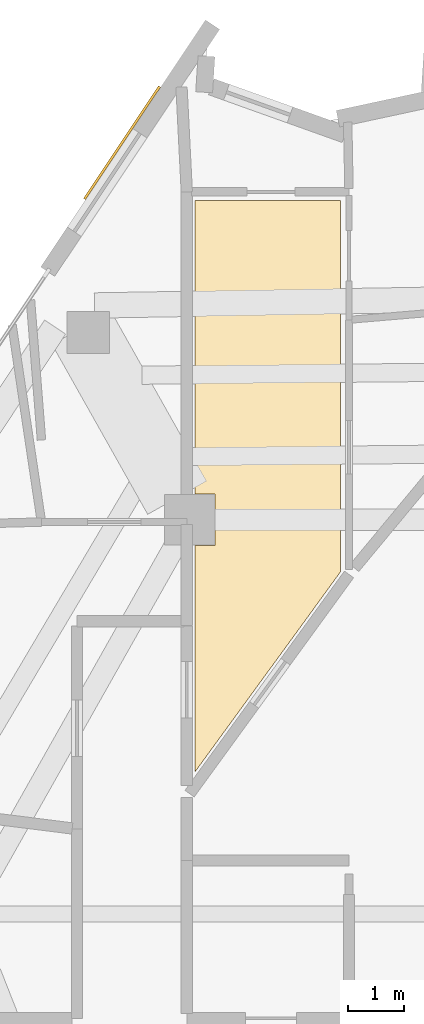
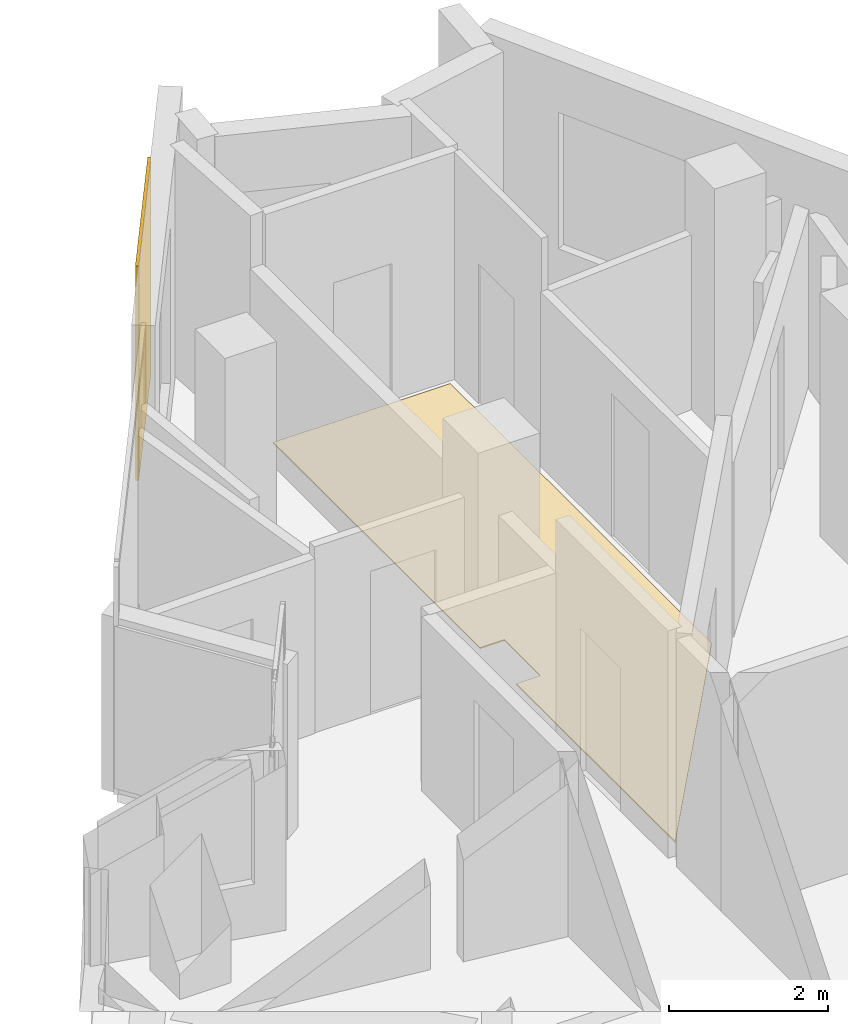
# One storey, part 10 of 10: 2 coverings.
"""IFC4 building model written with IfcOpenShell, lengths in metres."""

from ifc_helpers import new_model, si_unit, direction, frame, origin, origin_2d, place, context, subcontext, project, spatial, polyline, rectangle, outline, extrude, material, layer, layer_set, type_object, element, save


model = new_model("IFC4")

# Units and contexts
model_context = context("Model", 3, precision=1e-05, world=origin(), true_north=direction((0.0, 1.0)))
body_context = subcontext(model_context, "Body", "Model", "MODEL_VIEW")
ifc_project = project(units=[si_unit("LENGTHUNIT", "METRE"), si_unit("AREAUNIT", "SQUARE_METRE"), si_unit("VOLUMEUNIT", "CUBIC_METRE"), si_unit("PLANEANGLEUNIT", "RADIAN"), si_unit("MASSUNIT", "GRAM", prefix="KILO")], contexts=[model_context])

# Site, building, storey
site_placement = place(None, origin())
site = spatial("IfcSite", under=ifc_project, at=site_placement, CompositionType="ELEMENT")
building_placement = place(site_placement, origin())
building = spatial("IfcBuilding", under=site, at=building_placement, Name="Almagre Mirador Tower", CompositionType="ELEMENT")
storey_placement = place(building_placement, frame((0.0, 0.0, 270.75)))
storey = spatial("IfcBuildingStorey", under=building, at=storey_placement, Name="L70", CompositionType="ELEMENT", Elevation=270.75)

# Coverings
ifc_material_1 = material(Name="Almagre terracotta architectural cladding", Category="masonry")
ifc_layer_1 = layer(ifc_material_1, 0.044921875)
ifc_layer_set_1 = layer_set([ifc_layer_1], Name="Almagre terracotta architectural cladding")
covering_type_1 = type_object("IfcCoveringType", Name="COV-CLAD-ALMAGRE", PredefinedType="CLADDING", material=ifc_layer_set_1)
covering_1_placement = place(storey_placement, frame((36.150146484375, 32.893798828125, 0.10009765625), z_axis=(0.0, 0.0, 1.0), x_axis=(0.55526544618, 0.831673183575, 0.0)))
element("IfcCovering", 1, at=covering_1_placement, inside=storey, type_object=covering_type_1, Name="L70 almagre terracotta pier cladding", PredefinedType="CLADDING", context=body_context, shape_type="SweptSolid", body=[
    extrude(rectangle(XDim=2.39990234375, YDim=0.044921875, at=origin_2d()), origin(), (0.0, 0.0, 1.0), 3.300048828125),
])
ifc_material_2 = material(Name="Engineered white oak flooring", Category="wood")
ifc_layer_2 = layer(ifc_material_2, 0.01806640625)
ifc_layer_set_2 = layer_set([ifc_layer_2], Name="Engineered white oak flooring")
covering_type_2 = type_object("IfcCoveringType", Name="COV-FLR-OAK-18", PredefinedType="FLOORING", material=ifc_layer_set_2)
covering_2_placement = place(storey_placement, origin())
element("IfcCovering", 2, at=covering_2_placement, inside=storey, type_object=covering_type_2, Name="L70 Unit L70-J Living and Dining Room finish flooring", PredefinedType="FLOORING", context=body_context, shape_type="SweptSolid", body=[
    extrude(outline(polyline([(40.030029296875, 31.8701171875), (40.030029296875, 25.279052734375), (39.39892578125, 24.407958984375), (37.449951171875, 21.73095703125), (37.449951171875, 25.7451171875), (37.804931640625, 25.7451171875), (37.804931640625, 26.655029296875), (37.449951171875, 26.655029296875), (37.449951171875, 31.8701171875), (40.030029296875, 31.8701171875)])), origin(), (0.0, 0.0, 1.0), 0.01806640625),
])

save(model, "model.ifc")
